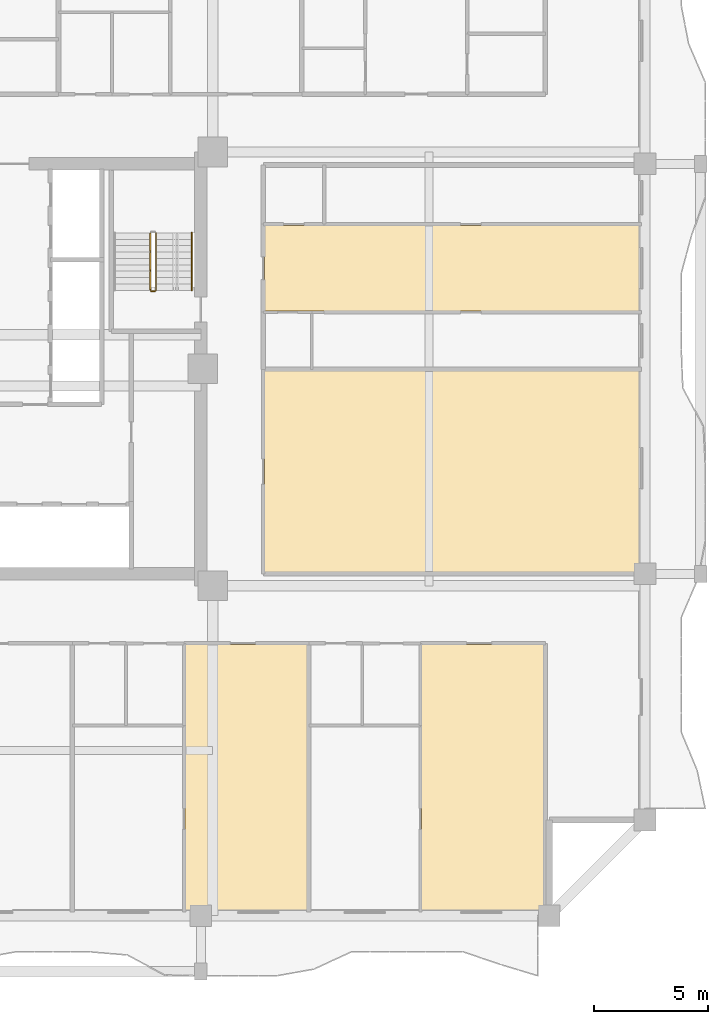
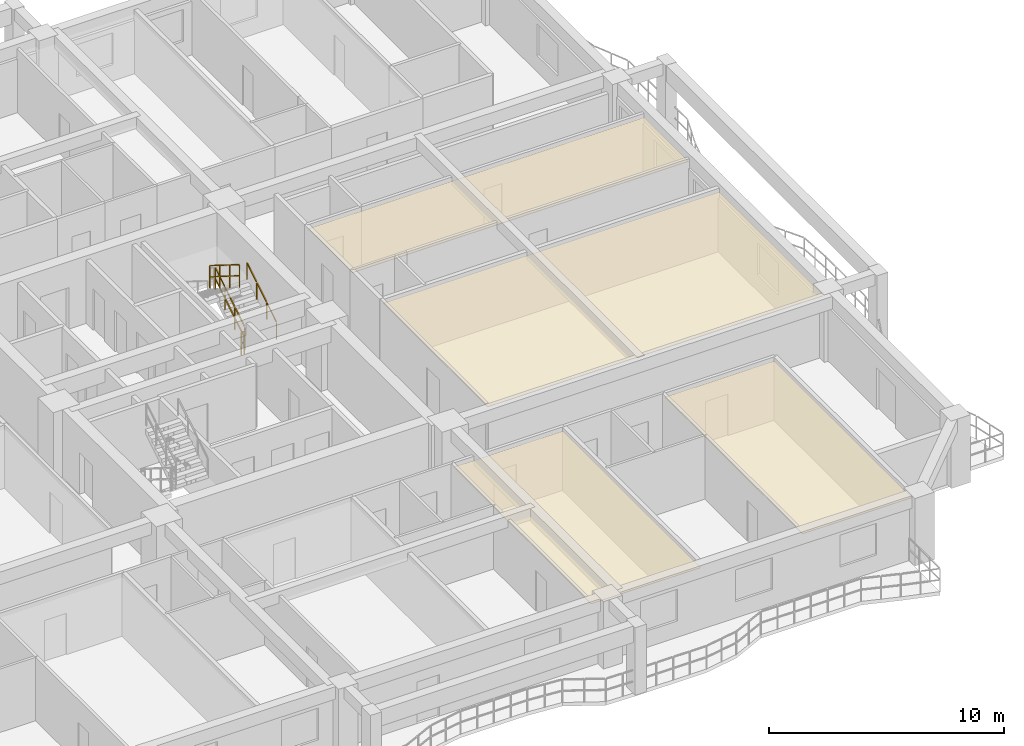
# One storey, part 14 of 17: 4 coverings, 4 railings.
"""IFC4 building model written with IfcOpenShell, lengths in metres."""

from ifc_helpers import new_model, si_unit, direction, frame, origin, origin_2d, place, context, subcontext, project, spatial, polyline, rectangle, outline, extrude, material, layer, layer_set, type_object, element, save


model = new_model("IFC4")

# Units and contexts
model_context = context("Model", 3, precision=1e-05, world=origin(), true_north=direction((0.0, 1.0)))
body_context = subcontext(model_context, "Body", "Model", "MODEL_VIEW")
ifc_project = project(units=[si_unit("LENGTHUNIT", "METRE"), si_unit("AREAUNIT", "SQUARE_METRE"), si_unit("VOLUMEUNIT", "CUBIC_METRE"), si_unit("PLANEANGLEUNIT", "RADIAN"), si_unit("MASSUNIT", "GRAM", prefix="KILO")], contexts=[model_context])

# Site, building, storey
site_placement = place(None, origin())
site = spatial("IfcSite", under=ifc_project, at=site_placement, CompositionType="ELEMENT")
building_placement = place(site_placement, origin())
building = spatial("IfcBuilding", under=site, at=building_placement, Name="Saelheon Loggia Tower", CompositionType="ELEMENT")
storey_placement = place(building_placement, frame((0.0, 0.0, 74.35009765625)))
storey = spatial("IfcBuildingStorey", under=building, at=storey_placement, Name="L23", CompositionType="ELEMENT", Elevation=74.35009765625)

# Coverings
ifc_material_1 = material(Name="Mineral-Fibre Acoustic Ceiling Board", Category="gypsum")
ifc_layer = layer(ifc_material_1, 0.02490234375)
ifc_layer_set = layer_set([ifc_layer], Name="Mineral-Fibre Acoustic Ceiling Board")
covering_type = type_object("IfcCoveringType", Name="Cov_Ceiling_Acoustic", PredefinedType="CEILING", material=ifc_layer_set)
covering_1_placement = place(storey_placement, frame((0.0, 0.0, 3.034912109375)))
element("IfcCovering", 1, at=covering_1_placement, inside=storey, type_object=covering_type, Name="L23 Acoustic Suspended Ceiling", PredefinedType="CEILING", context=body_context, shape_type="SweptSolid", body=[
    extrude(outline(polyline([(43.814697265625, 3.199951171875), (49.1923828125, 3.199951171875), (49.1923828125, 14.89990234375), (43.814697265625, 14.89990234375), (43.814697265625, 3.199951171875)])), origin(), (0.0, 0.0, 1.0), 0.02490234375),
])
covering_2_placement = place(storey_placement, frame((0.0, 0.0, 3.034912109375)))
element("IfcCovering", 2, at=covering_2_placement, inside=storey, type_object=covering_type, Name="L23 Acoustic Suspended Ceiling", PredefinedType="CEILING", context=body_context, shape_type="SweptSolid", body=[
    extrude(outline(polyline([(54.1923828125, 3.199951171875), (59.570068359375, 3.199951171875), (59.570068359375, 14.89990234375), (54.1923828125, 14.89990234375), (54.1923828125, 3.199951171875)])), origin(), (0.0, 0.0, 1.0), 0.02490234375),
])
covering_3_placement = place(storey_placement, frame((0.0, 0.0, 3.034912109375)))
element("IfcCovering", 3, at=covering_3_placement, inside=storey, type_object=covering_type, Name="L23 Acoustic Suspended Ceiling", PredefinedType="CEILING", context=body_context, shape_type="SweptSolid", body=[
    extrude(outline(polyline([(47.300048828125, 18.050048828125), (63.800048828125, 18.050048828125), (63.800048828125, 26.925048828125), (47.300048828125, 26.925048828125), (47.300048828125, 18.050048828125)])), origin(), (0.0, 0.0, 1.0), 0.02490234375),
])
covering_4_placement = place(storey_placement, frame((0.0, 0.0, 3.034912109375)))
element("IfcCovering", 4, at=covering_4_placement, inside=storey, type_object=covering_type, Name="L23 Acoustic Suspended Ceiling", PredefinedType="CEILING", context=body_context, shape_type="SweptSolid", body=[
    extrude(outline(polyline([(47.300048828125, 29.5380859375), (63.800048828125, 29.5380859375), (63.800048828125, 33.300048828125), (47.300048828125, 33.300048828125), (47.300048828125, 29.5380859375)])), origin(), (0.0, 0.0, 1.0), 0.02490234375),
])

# Railings
ifc_material_2 = material(Name="Galvanised Steel S275 Stairwell Guardrail", Category="steel")
railing_type_1 = type_object("IfcRailingType", Name="Guard_StairWell_RL_STG", PredefinedType="GUARDRAIL", material=ifc_material_2)
railing_1_placement = place(storey_placement, frame((42.5400390625, 30.449951171875, 0.1748046875)))
element("IfcRailing", 5, at=railing_1_placement, inside=storey, type_object=railing_type_1, Name="L23 ST2 stair guard 1", PredefinedType="GUARDRAIL", context=body_context, shape_type="SweptSolid", body=[
    extrude(rectangle(XDim=0.048095703125, YDim=0.048095703125, at=origin_2d()), frame((0.0, 0.028076171875, 1.193603515625), z_axis=(0.0, 0.847970611238, 0.530043245855), x_axis=(-1.0, 0.0, 0.0)), (0.0, 0.0, 1.0), 0.924072265625),
    extrude(rectangle(XDim=0.048095703125, YDim=0.048095703125, at=origin_2d()), frame((0.0, 0.028076171875, 0.61767578125), z_axis=(0.0, 0.847970611238, 0.530043245855), x_axis=(-1.0, 0.0, 0.0)), (0.0, 0.0, 1.0), 0.924072265625),
    extrude(rectangle(XDim=0.048095703125, YDim=0.048095703125, at=origin_2d()), frame((0.0, 0.8681640625, 1.718505859375), z_axis=(0.0, 0.847970611238, 0.530043245855), x_axis=(-1.0, 0.0, 0.0)), (0.0, 0.0, 1.0), 0.924072265625),
    extrude(rectangle(XDim=0.048095703125, YDim=0.048095703125, at=origin_2d()), frame((0.0, 0.8681640625, 1.142578125), z_axis=(0.0, 0.847970611238, 0.530043245855), x_axis=(-1.0, 0.0, 0.0)), (0.0, 0.0, 1.0), 0.924072265625),
    extrude(rectangle(XDim=0.048095703125, YDim=0.048095703125, at=origin_2d()), frame((0.0, 1.708251953125, 2.24365234375), z_axis=(0.0, 0.847970611238, 0.530043245855), x_axis=(-1.0, 0.0, 0.0)), (0.0, 0.0, 1.0), 0.924072265625),
    extrude(rectangle(XDim=0.048095703125, YDim=0.048095703125, at=origin_2d()), frame((0.0, 1.708251953125, 1.667724609375), z_axis=(0.0, 0.847970611238, 0.530043245855), x_axis=(-1.0, 0.0, 0.0)), (0.0, 0.0, 1.0), 0.924072265625),
    extrude(rectangle(XDim=0.0419921875, YDim=0.0419921875, at=origin_2d()), origin(), (0.0, 0.0, 1.0), 1.14794921875),
    extrude(rectangle(XDim=0.0419921875, YDim=0.0419921875, at=origin_2d()), frame((0.0, 0.840087890625, 0.525146484375)), (0.0, 0.0, 1.0), 1.14794921875),
    extrude(rectangle(XDim=0.0419921875, YDim=0.0419921875, at=origin_2d()), frame((0.0, 1.679931640625, 1.050048828125)), (0.0, 0.0, 1.0), 1.14794921875),
    extrude(rectangle(XDim=0.0419921875, YDim=0.0419921875, at=origin_2d()), frame((0.0, 2.52001953125, 1.5751953125)), (0.0, 0.0, 1.0), 1.14794921875),
])
railing_2_placement = place(storey_placement, frame((42.280029296875, 32.969970703125, 1.9248046875)))
element("IfcRailing", 6, at=railing_2_placement, inside=storey, type_object=railing_type_1, Name="L23 ST2 stair guard 3", PredefinedType="GUARDRAIL", context=body_context, shape_type="SweptSolid", body=[
    extrude(rectangle(XDim=0.048095703125, YDim=0.048095703125, at=origin_2d()), frame((0.0, -0.028076171875, 1.193603515625), z_axis=(0.0, -0.847970611238, 0.530043245855), x_axis=(1.0, 0.0, 0.0)), (0.0, 0.0, 1.0), 0.924072265625),
    extrude(rectangle(XDim=0.048095703125, YDim=0.048095703125, at=origin_2d()), frame((0.0, -0.028076171875, 0.61767578125), z_axis=(0.0, -0.847970611238, 0.530043245855), x_axis=(1.0, 0.0, 0.0)), (0.0, 0.0, 1.0), 0.924072265625),
    extrude(rectangle(XDim=0.048095703125, YDim=0.048095703125, at=origin_2d()), frame((0.0, -0.8681640625, 1.718505859375), z_axis=(0.0, -0.847970611238, 0.530043245855), x_axis=(1.0, 0.0, 0.0)), (0.0, 0.0, 1.0), 0.924072265625),
    extrude(rectangle(XDim=0.048095703125, YDim=0.048095703125, at=origin_2d()), frame((0.0, -0.8681640625, 1.142578125), z_axis=(0.0, -0.847970611238, 0.530043245855), x_axis=(1.0, 0.0, 0.0)), (0.0, 0.0, 1.0), 0.924072265625),
    extrude(rectangle(XDim=0.048095703125, YDim=0.048095703125, at=origin_2d()), frame((0.0, -1.708251953125, 2.24365234375), z_axis=(0.0, -0.847970611238, 0.530043245855), x_axis=(1.0, 0.0, 0.0)), (0.0, 0.0, 1.0), 0.924072265625),
    extrude(rectangle(XDim=0.048095703125, YDim=0.048095703125, at=origin_2d()), frame((0.0, -1.708251953125, 1.667724609375), z_axis=(0.0, -0.847970611238, 0.530043245855), x_axis=(1.0, 0.0, 0.0)), (0.0, 0.0, 1.0), 0.924072265625),
    extrude(rectangle(XDim=0.0419921875, YDim=0.0419921875, at=origin_2d()), origin(), (0.0, 0.0, 1.0), 1.14794921875),
    extrude(rectangle(XDim=0.0419921875, YDim=0.0419921875, at=origin_2d()), frame((0.0, -0.840087890625, 0.525146484375)), (0.0, 0.0, 1.0), 1.14794921875),
    extrude(rectangle(XDim=0.0419921875, YDim=0.0419921875, at=origin_2d()), frame((0.0, -1.679931640625, 1.050048828125)), (0.0, 0.0, 1.0), 1.14794921875),
    extrude(rectangle(XDim=0.0419921875, YDim=0.0419921875, at=origin_2d()), frame((0.0, -2.52001953125, 1.5751953125)), (0.0, 0.0, 1.0), 1.14794921875),
])
railing_3_placement = place(storey_placement, frame((42.489990234375, 30.39990234375, 0.0)))
element("IfcRailing", 7, at=railing_3_placement, inside=storey, type_object=railing_type_1, Name="L23 ST2 stair guard 4", PredefinedType="GUARDRAIL", context=body_context, shape_type="SweptSolid", body=[
    extrude(rectangle(XDim=0.048095703125, YDim=0.048095703125, at=origin_2d()), frame((-0.033203125, 0.0, 1.17578125), z_axis=(-1.0, 0.0, 0.0), x_axis=(0.0, -1.0, 0.0)), (0.0, 0.0, 1.0), 0.093505859375),
    extrude(rectangle(XDim=0.048095703125, YDim=0.048095703125, at=origin_2d()), frame((-0.033203125, 0.0, 0.60009765625), z_axis=(-1.0, 0.0, 0.0), x_axis=(0.0, -1.0, 0.0)), (0.0, 0.0, 1.0), 0.093505859375),
    extrude(rectangle(XDim=0.0419921875, YDim=0.0419921875, at=origin_2d()), origin(), (0.0, 0.0, 1.0), 1.14794921875),
    extrude(rectangle(XDim=0.0419921875, YDim=0.0419921875, at=origin_2d()), frame((-0.159912109375, 0.0, 0.0)), (0.0, 0.0, 1.0), 1.14794921875),
])
ifc_material_3 = material(Name="Stainless Steel 304 Tubular Handrail", Category="steel")
railing_type_2 = type_object("IfcRailingType", Name="Handrail_Stair_RL_HR1", PredefinedType="HANDRAIL", material=ifc_material_3)
railing_4_placement = place(storey_placement, frame((44.10009765625, 30.449951171875, 0.1748046875)))
element("IfcRailing", 8, at=railing_4_placement, inside=storey, type_object=railing_type_2, Name="L23 ST2 stair handrail 1", PredefinedType="HANDRAIL", context=body_context, shape_type="SweptSolid", body=[
    extrude(rectangle(XDim=0.048095703125, YDim=0.048095703125, at=origin_2d()), frame((0.0, 0.028076171875, 0.8935546875), z_axis=(0.0, 0.847970611238, 0.530043245855), x_axis=(-1.0, 0.0, 0.0)), (0.0, 0.0, 1.0), 0.924072265625),
    extrude(rectangle(XDim=0.048095703125, YDim=0.048095703125, at=origin_2d()), frame((0.0, 0.8681640625, 1.41845703125), z_axis=(0.0, 0.847970611238, 0.530043245855), x_axis=(-1.0, 0.0, 0.0)), (0.0, 0.0, 1.0), 0.924072265625),
    extrude(rectangle(XDim=0.048095703125, YDim=0.048095703125, at=origin_2d()), frame((0.0, 1.708251953125, 1.943603515625), z_axis=(0.0, 0.847970611238, 0.530043245855), x_axis=(-1.0, 0.0, 0.0)), (0.0, 0.0, 1.0), 0.924072265625),
    extrude(rectangle(XDim=0.0419921875, YDim=0.0419921875, at=origin_2d()), origin(), (0.0, 0.0, 1.0), 0.847900390625),
    extrude(rectangle(XDim=0.0419921875, YDim=0.0419921875, at=origin_2d()), frame((0.0, 0.840087890625, 0.525146484375)), (0.0, 0.0, 1.0), 0.847900390625),
    extrude(rectangle(XDim=0.0419921875, YDim=0.0419921875, at=origin_2d()), frame((0.0, 1.679931640625, 1.050048828125)), (0.0, 0.0, 1.0), 0.847900390625),
    extrude(rectangle(XDim=0.0419921875, YDim=0.0419921875, at=origin_2d()), frame((0.0, 2.52001953125, 1.5751953125)), (0.0, 0.0, 1.0), 0.847900390625),
])

save(model, "model.ifc")
